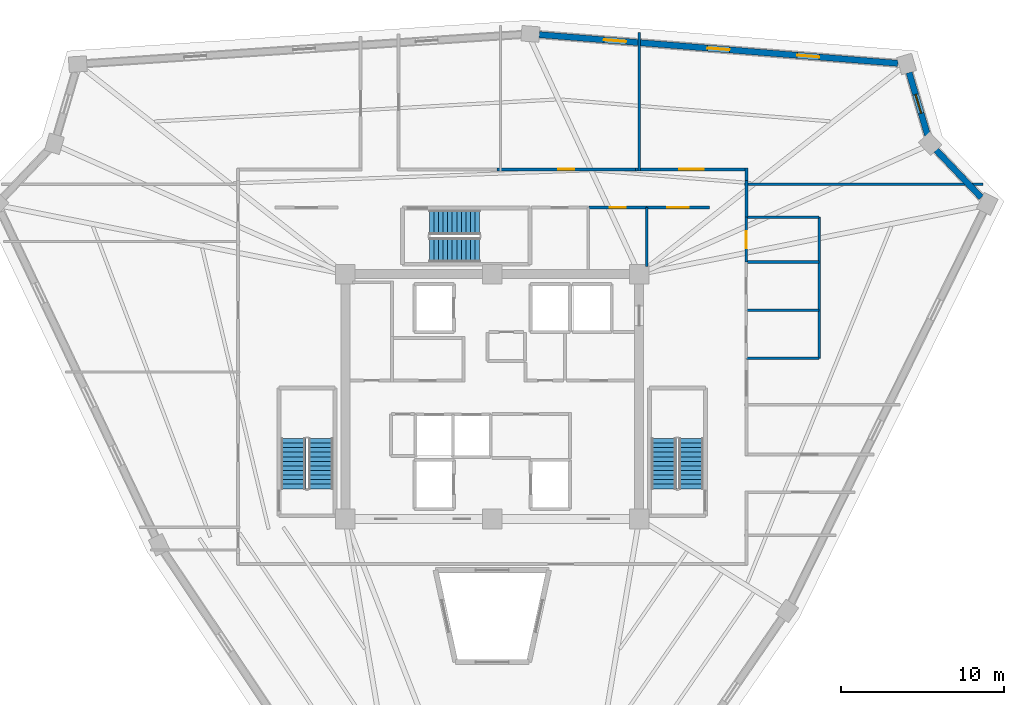
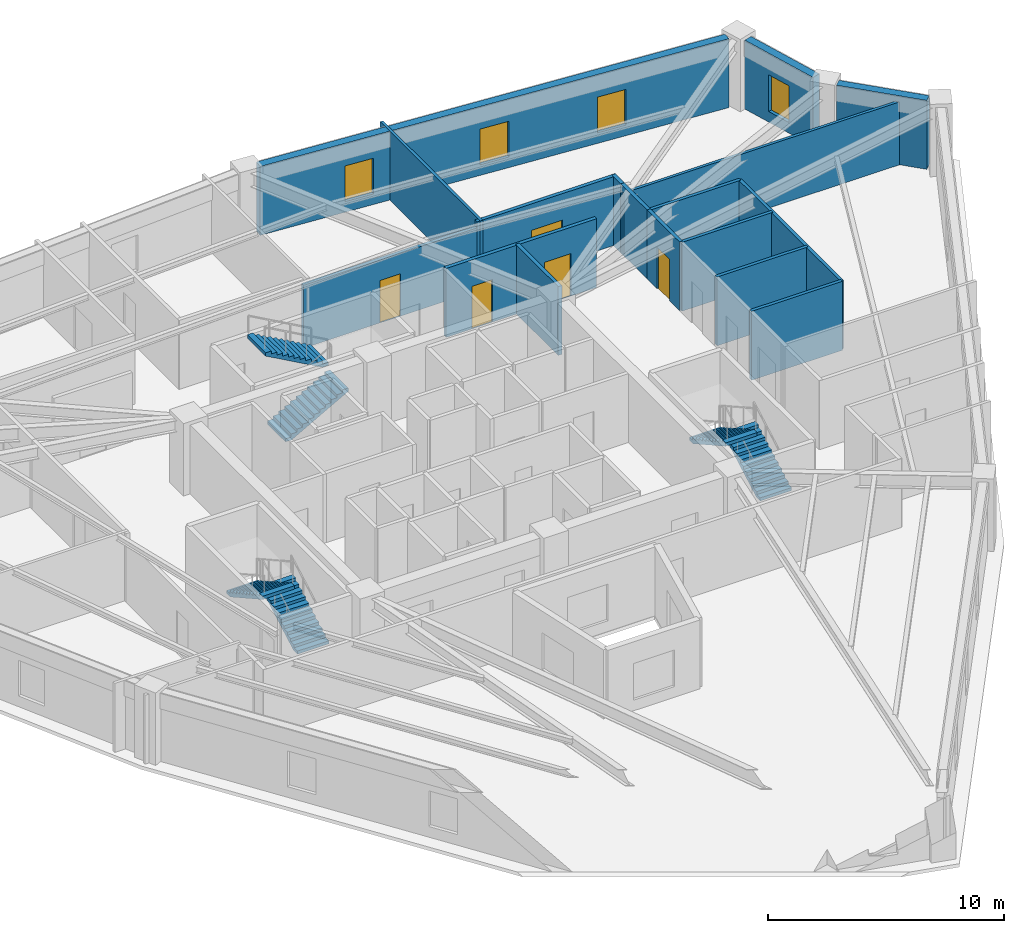
# One storey, part 7 of 8: 18 walls, 6 stair flights, 5 doors, 4 windows, 9 openings, 3 elements without a shape of their own.
"""IFC4 building model written with IfcOpenShell, lengths in metres."""

from ifc_helpers import new_model, si_unit, direction, frame, frame_2d, origin, place, context, subcontext, project, spatial, polyline, rectangle, outline, extrude, source, transform, mapped, material, layer, layer_set, type_object, element, fill, aggregate, save


model = new_model("IFC4")

# Units and contexts
model_context = context("Model", 3, precision=1e-05, world=origin(), true_north=direction((0.0, 1.0)))
body_context = subcontext(model_context, "Body", "Model", "MODEL_VIEW")
ifc_project = project(units=[si_unit("LENGTHUNIT", "METRE"), si_unit("AREAUNIT", "SQUARE_METRE"), si_unit("VOLUMEUNIT", "CUBIC_METRE"), si_unit("PLANEANGLEUNIT", "RADIAN"), si_unit("MASSUNIT", "GRAM", prefix="KILO")], contexts=[model_context])

# Site, building, storey
site_placement = place(None, origin())
site = spatial("IfcSite", under=ifc_project, at=site_placement, CompositionType="ELEMENT")
building_placement = place(site_placement, origin())
building = spatial("IfcBuilding", under=site, at=building_placement, Name="Liaohun Quay Tower", CompositionType="ELEMENT")
storey_placement = place(building_placement, frame((0.0, 0.0, 305.25)))
storey = spatial("IfcBuildingStorey", under=building, at=storey_placement, Name="L79", CompositionType="ELEMENT", Elevation=305.25)

# Wall
ifc_material_1 = material(Name="Precast concrete C50 insulated sandwich", Category="concrete")
ifc_layer_1 = layer(ifc_material_1, 0.3798828125, Name="Precast concrete C50 insulated sandwich", Category="concrete")
ifc_layer_set_1 = layer_set([ifc_layer_1], Name="Precast concrete C50 insulated sandwich")
wall_type_1 = type_object("IfcWallType", Name="WAL-EXT-Z34", PredefinedType="SOLIDWALL", material=ifc_layer_set_1)
wall_1_placement = place(storey_placement, frame((89.94189453125, 66.18994140625, 0.0), z_axis=(0.0, 0.0, 1.0), x_axis=(-0.689222359841, 0.724549886961, 0.0)))
element("IfcWall", 1, at=wall_1_placement, inside=storey, type_object=wall_type_1, Name="L79 Brutalist Precast Pier Wall 04", PredefinedType="SOLIDWALL", context=body_context, shape_type="SweptSolid", body=[
    extrude(rectangle(XDim=4.001220703125, YDim=0.3798828125, at=frame_2d((2.00048828125, 0.0))), origin(), (0.0, 0.0, 1.0), 3.570068359375),
])

# Wall, opening, window
wall_2_placement = place(storey_placement, frame((86.658935546875, 69.998046875, 0.0), z_axis=(0.0, 0.0, 1.0), x_axis=(-0.2823872674, 0.959300490571, 0.0)))
wall_2 = element("IfcWall", 2, at=wall_2_placement, inside=storey, type_object=wall_type_1, Name="L79 Brutalist Precast Pier Wall 05", PredefinedType="SOLIDWALL", context=body_context, shape_type="SweptSolid", body=[
    extrude(rectangle(XDim=4.008056640625, YDim=0.3798828125, at=frame_2d((2.00390625, 0.0))), origin(), (0.0, 0.0, 1.0), 3.570068359375),
])
shared_shape_1 = source(origin(), body_context, "Body", "SweptSolid", [
    extrude(rectangle(XDim=1.199951171875, YDim=1.89990234375, at=frame_2d((0.60009765625, 0.949951171875))), frame((0.0, 0.199951171875, 0.0), z_axis=(0.0, -1.0, 0.0), x_axis=(1.0, 0.0, 0.0)), (0.0, 0.0, 1.0), 0.39990234375),
])
opening_1_placement = place(wall_2_placement, frame((1.404052734375, 0.0, 0.550048828125)))
opening_1 = element("IfcOpeningElement", 3, at=opening_1_placement, cuts=wall_2, Name="Opening W05", PredefinedType="OPENING", context=body_context, shape_type="MappedRepresentation", body=[
    mapped(shared_shape_1, transform((0.0, 0.0, 0.0), x_axis=(1.0, 0.0, 0.0), y_axis=(0.0, 1.0, 0.0), z_axis=(0.0, 0.0, 1.0), scale=1.0)),
])
ifc_material_2 = material(Name="Triple Low-E corner notch glazing", Category="glass")
window_type_1 = type_object("IfcWindowType", Name="WIN-NOTCH", PartitioningType="SINGLE_PANEL", PredefinedType="WINDOW", material=ifc_material_2)
shared_shape_2 = source(origin(), body_context, "Body", "SweptSolid", [
    extrude(rectangle(XDim=1.199951171875, YDim=1.89990234375, at=frame_2d((0.60009765625, 0.949951171875))), frame((0.0, 0.030029296875, 0.0), z_axis=(0.0, -1.0, 0.0), x_axis=(1.0, 0.0, 0.0)), (0.0, 0.0, 1.0), 0.06005859375),
])
window_1_placement = place(opening_1_placement, origin())
window_1 = element("IfcWindow", 4, at=window_1_placement, inside=storey, type_object=window_type_1, Name="L79 Corner Notch Window W05-05", OverallHeight=1.89990234375, OverallWidth=1.199951171875, PartitioningType="SINGLE_PANEL", PredefinedType="WINDOW", context=body_context, shape_type="MappedRepresentation", body=[
    mapped(shared_shape_2, transform((0.0, 0.0, 0.0), x_axis=(1.0, 0.0, 0.0), y_axis=(0.0, 1.0, 0.0), z_axis=(0.0, 0.0, 1.0), scale=1.0)),
])
fill(opening_1, window_1)

# Wall, openings, windows
wall_3_placement = place(storey_placement, frame((84.8359375, 74.404052734375, 0.0), z_axis=(0.0, 0.0, 1.0), x_axis=(-0.996807769303, 0.079839032169, 0.0)))
wall_3 = element("IfcWall", 5, at=wall_3_placement, inside=storey, type_object=wall_type_1, Name="L79 Brutalist Precast Pier Wall 06", PredefinedType="SOLIDWALL", context=body_context, shape_type="SweptSolid", body=[
    extrude(rectangle(XDim=22.0322265625, YDim=0.3798828125, at=frame_2d((11.01611328125, 0.0))), origin(), (0.0, 0.0, 1.0), 3.570068359375),
])
shared_shape_3 = source(origin(), body_context, "Body", "SweptSolid", [
    extrude(rectangle(XDim=1.35009765625, YDim=1.85009765625, at=frame_2d((0.675048828125, 0.925048828125))), frame((0.0, 0.199951171875, 0.0), z_axis=(0.0, -1.0, 0.0), x_axis=(1.0, 0.0, 0.0)), (0.0, 0.0, 1.0), 0.39990234375),
])
opening_2_placement = place(wall_3_placement, frame((4.8330078125, 0.0, 0.550048828125)))
opening_2 = element("IfcOpeningElement", 6, at=opening_2_placement, cuts=wall_3, Name="Opening W04", PredefinedType="OPENING", context=body_context, shape_type="MappedRepresentation", body=[
    mapped(shared_shape_3, transform((0.0, 0.0, 0.0), x_axis=(1.0, 0.0, 0.0), y_axis=(0.0, 1.0, 0.0), z_axis=(0.0, 0.0, 1.0), scale=1.0)),
])
opening_3_placement = place(wall_3_placement, frame((10.341064453125, 0.0, 0.550048828125)))
opening_3 = element("IfcOpeningElement", 7, at=opening_3_placement, cuts=wall_3, Name="Opening W04", PredefinedType="OPENING", context=body_context, shape_type="MappedRepresentation", body=[
    mapped(shared_shape_3, transform((0.0, 0.0, 0.0), x_axis=(1.0, 0.0, 0.0), y_axis=(0.0, 1.0, 0.0), z_axis=(0.0, 0.0, 1.0), scale=1.0)),
])
opening_4_placement = place(wall_3_placement, frame((16.698974609375, 0.0, 0.550048828125)))
opening_4 = element("IfcOpeningElement", 8, at=opening_4_placement, cuts=wall_3, Name="Opening W04", PredefinedType="OPENING", context=body_context, shape_type="MappedRepresentation", body=[
    mapped(shared_shape_3, transform((0.0, 0.0, 0.0), x_axis=(1.0, 0.0, 0.0), y_axis=(0.0, 1.0, 0.0), z_axis=(0.0, 0.0, 1.0), scale=1.0)),
])
ifc_material_3 = material(Name="Triple Low-E argon glazing in thermally broken aluminium", Category="aluminium")
window_type_2 = type_object("IfcWindowType", Name="WIN-PUN-Z4", PartitioningType="SINGLE_PANEL", PredefinedType="WINDOW", material=ifc_material_3)
shared_shape_4 = source(origin(), body_context, "Body", "SweptSolid", [
    extrude(rectangle(XDim=1.35009765625, YDim=1.85009765625, at=frame_2d((0.675048828125, 0.925048828125))), frame((0.0, 0.030029296875, 0.0), z_axis=(0.0, -1.0, 0.0), x_axis=(1.0, 0.0, 0.0)), (0.0, 0.0, 1.0), 0.06005859375),
])
window_2_placement = place(opening_2_placement, origin())
window_2 = element("IfcWindow", 9, at=window_2_placement, inside=storey, type_object=window_type_2, Name="L79 Recessed Cold-Climate Punched Window 06-1", OverallHeight=1.85009765625, OverallWidth=1.35009765625, PartitioningType="SINGLE_PANEL", PredefinedType="WINDOW", context=body_context, shape_type="MappedRepresentation", body=[
    mapped(shared_shape_4, transform((0.0, 0.0, 0.0), x_axis=(1.0, 0.0, 0.0), y_axis=(0.0, 1.0, 0.0), z_axis=(0.0, 0.0, 1.0), scale=1.0)),
])
fill(opening_2, window_2)
window_3_placement = place(opening_3_placement, origin())
window_3 = element("IfcWindow", 10, at=window_3_placement, inside=storey, type_object=window_type_2, Name="L79 Recessed Cold-Climate Punched Window 06-2", OverallHeight=1.85009765625, OverallWidth=1.35009765625, PartitioningType="SINGLE_PANEL", PredefinedType="WINDOW", context=body_context, shape_type="MappedRepresentation", body=[
    mapped(shared_shape_4, transform((0.0, 0.0, 0.0), x_axis=(1.0, 0.0, 0.0), y_axis=(0.0, 1.0, 0.0), z_axis=(0.0, 0.0, 1.0), scale=1.0)),
])
fill(opening_3, window_3)
window_4_placement = place(opening_4_placement, origin())
window_4 = element("IfcWindow", 11, at=window_4_placement, inside=storey, type_object=window_type_2, Name="L79 Recessed Cold-Climate Punched Window 06-3", OverallHeight=1.85009765625, OverallWidth=1.35009765625, PartitioningType="SINGLE_PANEL", PredefinedType="WINDOW", context=body_context, shape_type="MappedRepresentation", body=[
    mapped(shared_shape_4, transform((0.0, 0.0, 0.0), x_axis=(1.0, 0.0, 0.0), y_axis=(0.0, 1.0, 0.0), z_axis=(0.0, 0.0, 1.0), scale=1.0)),
])
fill(opening_4, window_4)

# Wall, opening, door
ifc_material_4 = material(Name="Autoclaved aerated concrete blockwork", Category="masonry")
ifc_layer_2 = layer(ifc_material_4, 0.179931640625, Name="Autoclaved aerated concrete blockwork", Category="masonry")
ifc_layer_set_2 = layer_set([ifc_layer_2], Name="Autoclaved aerated concrete blockwork")
wall_type_2 = type_object("IfcWallType", Name="WAL-PRT-COR", PredefinedType="PARTITIONING", material=ifc_layer_set_2)
wall_4_placement = place(storey_placement, frame((65.919921875, 65.580078125, 0.0), z_axis=(0.0, 0.0, 1.0), x_axis=(1.0, 0.0, 0.0)))
wall_4 = element("IfcWall", 12, at=wall_4_placement, inside=storey, type_object=wall_type_2, Name="L79 Interior Partition Wall 012", PredefinedType="PARTITIONING", context=body_context, shape_type="SweptSolid", body=[
    extrude(rectangle(XDim=3.5400390625, YDim=0.179931640625, at=frame_2d((1.77001953125, 0.0))), origin(), (0.0, 0.0, 1.0), 3.570068359375),
])
shared_shape_5 = source(origin(), body_context, "Body", "SweptSolid", [
    extrude(rectangle(XDim=1.0, YDim=2.199951171875, at=frame_2d((0.5, 1.10009765625))), frame((0.0, 0.099853515625, 0.0), z_axis=(0.0, -1.0, 0.0), x_axis=(1.0, 0.0, 0.0)), (0.0, 0.0, 1.0), 0.199951171875),
])
opening_5_placement = place(wall_4_placement, frame((1.27001953125, 0.0, 0.0)))
opening_5 = element("IfcOpeningElement", 13, at=opening_5_placement, cuts=wall_4, Name="Opening OD1", PredefinedType="OPENING", context=body_context, shape_type="MappedRepresentation", body=[
    mapped(shared_shape_5, transform((0.0, 0.0, 0.0), x_axis=(1.0, 0.0, 0.0), y_axis=(0.0, 1.0, 0.0), z_axis=(0.0, 0.0, 1.0), scale=1.0)),
])
ifc_material_5 = material(Name="Solid-core oak veneer timber leaf in steel frame", Category="steel")
door_type_1 = type_object("IfcDoorType", Name="DOR-OFF-1000", OperationType="NOTDEFINED", PredefinedType="DOOR", material=ifc_material_5)
shared_shape_6 = source(origin(), body_context, "Body", "SweptSolid", [
    extrude(rectangle(XDim=1.0, YDim=2.199951171875, at=frame_2d((0.5, 1.10009765625))), frame((0.0, 0.02490234375, 0.0), z_axis=(0.0, -1.0, 0.0), x_axis=(1.0, 0.0, 0.0)), (0.0, 0.0, 1.0), 0.050048828125),
])
door_1_placement = place(opening_5_placement, origin())
door_1 = element("IfcDoor", 14, at=door_1_placement, inside=storey, type_object=door_type_1, Name="L79 North-East Pantry Room Door", OperationType="SINGLE_SWING_RIGHT", OverallHeight=2.199951171875, OverallWidth=1.0, PredefinedType="DOOR", context=body_context, shape_type="MappedRepresentation", body=[
    mapped(shared_shape_6, transform((0.0, 0.0, 0.0), x_axis=(1.0, 0.0, 0.0), y_axis=(0.0, 1.0, 0.0), z_axis=(0.0, 0.0, 1.0), scale=1.0)),
])
fill(opening_5, door_1)

wall_5_placement = place(storey_placement, frame((69.4599609375, 65.580078125, 0.0), z_axis=(0.0, 0.0, 1.0), x_axis=(1.0, 0.0, 0.0)))
wall_5 = element("IfcWall", 15, at=wall_5_placement, inside=storey, type_object=wall_type_2, Name="L79 Interior Partition Wall 014", PredefinedType="PARTITIONING", context=body_context, shape_type="SweptSolid", body=[
    extrude(rectangle(XDim=3.840087890625, YDim=0.179931640625, at=frame_2d((1.919921875, 0.0))), origin(), (0.0, 0.0, 1.0), 3.570068359375),
])
shared_shape_7 = source(origin(), body_context, "Body", "SweptSolid", [
    extrude(rectangle(XDim=1.300048828125, YDim=2.199951171875, at=frame_2d((0.64990234375, 1.10009765625))), frame((0.0, 0.099853515625, 0.0), z_axis=(0.0, -1.0, 0.0), x_axis=(1.0, 0.0, 0.0)), (0.0, 0.0, 1.0), 0.199951171875),
])
opening_6_placement = place(wall_5_placement, frame((1.27001953125, 0.0, 0.0)))
opening_6 = element("IfcOpeningElement", 16, at=opening_6_placement, cuts=wall_5, Name="Opening FD1", PredefinedType="OPENING", context=body_context, shape_type="MappedRepresentation", body=[
    mapped(shared_shape_7, transform((0.0, 0.0, 0.0), x_axis=(1.0, 0.0, 0.0), y_axis=(0.0, 1.0, 0.0), z_axis=(0.0, 0.0, 1.0), scale=1.0)),
])
ifc_material_6 = material(Name="Galvanised steel smokeproof fire door", Category="steel")
door_type_2 = type_object("IfcDoorType", Name="DOR-FFL-1300", OperationType="NOTDEFINED", PredefinedType="DOOR", material=ifc_material_6)
shared_shape_8 = source(origin(), body_context, "Body", "SweptSolid", [
    extrude(rectangle(XDim=1.300048828125, YDim=2.199951171875, at=frame_2d((0.64990234375, 1.10009765625))), frame((0.0, 0.02490234375, 0.0), z_axis=(0.0, -1.0, 0.0), x_axis=(1.0, 0.0, 0.0)), (0.0, 0.0, 1.0), 0.050048828125),
])
door_2_placement = place(opening_6_placement, origin())
door_2 = element("IfcDoor", 17, at=door_2_placement, inside=storey, type_object=door_type_2, Name="L79 East Core Vestibule Door", OperationType="SINGLE_SWING_RIGHT", OverallHeight=2.199951171875, OverallWidth=1.300048828125, PredefinedType="DOOR", context=body_context, shape_type="MappedRepresentation", body=[
    mapped(shared_shape_8, transform((0.0, 0.0, 0.0), x_axis=(1.0, 0.0, 0.0), y_axis=(0.0, 1.0, 0.0), z_axis=(0.0, 0.0, 1.0), scale=1.0)),
])
fill(opening_6, door_2)

wall_6_placement = place(storey_placement, frame((68.784912109375, 67.909912109375, 0.0), z_axis=(0.0, 0.0, 1.0), x_axis=(1.0, 0.0, 0.0)))
wall_6 = element("IfcWall", 18, at=wall_6_placement, inside=storey, type_object=wall_type_2, Name="L79 Interior Partition Wall 016", PredefinedType="PARTITIONING", context=body_context, shape_type="SweptSolid", body=[
    extrude(rectangle(XDim=6.844970703125, YDim=0.179931640625, at=frame_2d((3.42236328125, 0.0))), origin(), (0.0, 0.0, 1.0), 3.570068359375),
])
shared_shape_9 = source(origin(), body_context, "Body", "SweptSolid", [
    extrude(rectangle(XDim=1.5, YDim=2.199951171875, at=frame_2d((0.75, 1.10009765625))), frame((0.0, 0.099853515625, 0.0), z_axis=(0.0, -1.0, 0.0), x_axis=(1.0, 0.0, 0.0)), (0.0, 0.0, 1.0), 0.199951171875),
])
opening_7_placement = place(wall_6_placement, frame((2.672119140625, 0.0, 0.0)))
opening_7 = element("IfcOpeningElement", 19, at=opening_7_placement, cuts=wall_6, Name="Opening OD2", PredefinedType="OPENING", context=body_context, shape_type="MappedRepresentation", body=[
    mapped(shared_shape_9, transform((0.0, 0.0, 0.0), x_axis=(1.0, 0.0, 0.0), y_axis=(0.0, 1.0, 0.0), z_axis=(0.0, 0.0, 1.0), scale=1.0)),
])
ifc_material_7 = material(Name="Acoustic oak veneer double door")
door_type_3 = type_object("IfcDoorType", Name="DOR-OFF-1500", OperationType="DOUBLE_DOOR_SINGLE_SWING", PredefinedType="DOOR", material=ifc_material_7)
shared_shape_10 = source(origin(), body_context, "Body", "SweptSolid", [
    extrude(rectangle(XDim=1.5, YDim=2.199951171875, at=frame_2d((0.75, 1.10009765625))), frame((0.0, 0.02490234375, 0.0), z_axis=(0.0, -1.0, 0.0), x_axis=(1.0, 0.0, 0.0)), (0.0, 0.0, 1.0), 0.050048828125),
])
door_3_placement = place(opening_7_placement, origin())
door_3 = element("IfcDoor", 20, at=door_3_placement, inside=storey, type_object=door_type_3, Name="L79 Client Collaboration Lounge 02 Door", OperationType="DOUBLE_DOOR_SINGLE_SWING", OverallHeight=2.199951171875, OverallWidth=1.5, PredefinedType="DOOR", context=body_context, shape_type="MappedRepresentation", body=[
    mapped(shared_shape_10, transform((0.0, 0.0, 0.0), x_axis=(1.0, 0.0, 0.0), y_axis=(0.0, 1.0, 0.0), z_axis=(0.0, 0.0, 1.0), scale=1.0)),
])
fill(opening_7, door_3)

wall_7_placement = place(storey_placement, frame((60.284912109375, 67.909912109375, 0.0), z_axis=(0.0, 0.0, 1.0), x_axis=(1.0, 0.0, 0.0)))
wall_7 = element("IfcWall", 21, at=wall_7_placement, inside=storey, type_object=wall_type_2, Name="L79 Interior Partition Wall 017", PredefinedType="PARTITIONING", context=body_context, shape_type="SweptSolid", body=[
    extrude(rectangle(XDim=8.5, YDim=0.179931640625, at=frame_2d((4.25, 0.0))), origin(), (0.0, 0.0, 1.0), 3.260986328125),
])
opening_8_placement = place(wall_7_placement, frame((3.75, 0.0, 0.0)))
opening_8 = element("IfcOpeningElement", 22, at=opening_8_placement, cuts=wall_7, Name="Opening OD1", PredefinedType="OPENING", context=body_context, shape_type="MappedRepresentation", body=[
    mapped(shared_shape_5, transform((0.0, 0.0, 0.0), x_axis=(1.0, 0.0, 0.0), y_axis=(0.0, 1.0, 0.0), z_axis=(0.0, 0.0, 1.0), scale=1.0)),
])
door_4_placement = place(opening_8_placement, origin())
door_4 = element("IfcDoor", 23, at=door_4_placement, inside=storey, type_object=door_type_1, Name="L79 Engineering Model Workshop 03 Door", OperationType="SINGLE_SWING_LEFT", OverallHeight=2.199951171875, OverallWidth=1.0, PredefinedType="DOOR", context=body_context, shape_type="MappedRepresentation", body=[
    mapped(shared_shape_6, transform((0.0, 0.0, 0.0), x_axis=(1.0, 0.0, 0.0), y_axis=(0.0, 1.0, 0.0), z_axis=(0.0, 0.0, 1.0), scale=1.0)),
])
fill(opening_8, door_4)

# Walls
wall_8_placement = place(storey_placement, frame((69.4599609375, 61.949951171875, 0.0), z_axis=(0.0, 0.0, 1.0), x_axis=(0.0, 1.0, 0.0)))
element("IfcWall", 24, at=wall_8_placement, inside=storey, type_object=wall_type_2, Name="L79 Interior Partition Wall 039", PredefinedType="PARTITIONING", context=body_context, shape_type="SweptSolid", body=[
    extrude(rectangle(XDim=3.630126953125, YDim=0.179931640625, at=frame_2d((1.81494140625, 0.0))), origin(), (0.0, 0.0, 1.0), 3.570068359375),
])
wall_9_placement = place(storey_placement, frame((75.56005859375, 67.215087890625, 0.0), z_axis=(0.0, 0.0, 1.0), x_axis=(0.0, -1.0, 0.0)))
element("IfcWall", 25, at=wall_9_placement, inside=storey, type_object=wall_type_2, Name="L79 Interior Partition Wall 040", PredefinedType="PARTITIONING", context=body_context, shape_type="SweptSolid", body=[
    extrude(rectangle(XDim=2.235107421875, YDim=0.179931640625, at=frame_2d((1.11767578125, 0.0))), origin(), (0.0, 0.0, 1.0), 3.570068359375),
])
wall_10_placement = place(storey_placement, frame((75.56005859375, 67.97998046875, 0.0), z_axis=(0.0, 0.0, 1.0), x_axis=(0.0, -1.0, 0.0)))
element("IfcWall", 26, at=wall_10_placement, inside=storey, type_object=wall_type_2, Name="L79 Interior Partition Wall 041", PredefinedType="PARTITIONING", context=body_context, shape_type="SweptSolid", body=[
    extrude(rectangle(XDim=0.764892578125, YDim=0.179931640625, at=frame_2d((0.38232421875, 0.0))), origin(), (0.0, 0.0, 1.0), 3.570068359375),
])
ifc_material_8 = material(Name="Gypsum board on twin steel studs", Category="steel")
ifc_layer_3 = layer(ifc_material_8, 0.139892578125, Name="Gypsum board on twin steel studs", Category="steel")
ifc_layer_set_3 = layer_set([ifc_layer_3], Name="Gypsum board on twin steel studs")
wall_type_3 = type_object("IfcWallType", Name="WAL-PRT-OFF", PredefinedType="PARTITIONING", material=ifc_layer_set_3)
wall_11_placement = place(storey_placement, frame((75.4599609375, 67.0, 0.0), z_axis=(0.0, 0.0, 1.0), x_axis=(1.0, 0.0, 0.0)))
element("IfcWall", 27, at=wall_11_placement, inside=storey, type_object=wall_type_3, Name="L79 Interior Partition Wall 056", PredefinedType="PARTITIONING", context=body_context, shape_type="SweptSolid", body=[
    extrude(rectangle(XDim=14.5810546875, YDim=0.139892578125, at=frame_2d((7.29052734375, 0.0))), origin(), (0.0, 0.0, 1.0), 3.260986328125),
])
wall_12_placement = place(storey_placement, frame((69.0, 67.81005859375, 0.0), z_axis=(0.0, 0.0, 1.0), x_axis=(0.0, 1.0, 0.0)))
element("IfcWall", 28, at=wall_12_placement, inside=storey, type_object=wall_type_3, Name="L79 Interior Partition Wall 058", PredefinedType="PARTITIONING", context=body_context, shape_type="SweptSolid", body=[
    extrude(rectangle(XDim=8.493896484375, YDim=0.139892578125, at=frame_2d((4.2470703125, 0.0))), origin(), (0.0, 0.0, 1.0), 3.570068359375),
])

# Wall, opening, door
ifc_material_9 = material(Name="Moisture-resistant masonry blockwork", Category="masonry")
ifc_layer_4 = layer(ifc_material_9, 0.159912109375, Name="Moisture-resistant masonry blockwork", Category="masonry")
ifc_layer_set_4 = layer_set([ifc_layer_4], Name="Moisture-resistant masonry blockwork")
wall_type_4 = type_object("IfcWallType", Name="WAL-PRT-WET", PredefinedType="PARTITIONING", material=ifc_layer_set_4)
wall_13_placement = place(storey_placement, frame((75.56005859375, 62.239990234375, 0.0), z_axis=(0.0, 0.0, 1.0), x_axis=(0.0, 1.0, 0.0)))
wall_13 = element("IfcWall", 29, at=wall_13_placement, inside=storey, type_object=wall_type_4, Name="L79 Interior Partition Wall 010", PredefinedType="PARTITIONING", context=body_context, shape_type="SweptSolid", body=[
    extrude(rectangle(XDim=2.739990234375, YDim=0.159912109375, at=frame_2d((1.3701171875, 0.0))), origin(), (0.0, 0.0, 1.0), 3.570068359375),
])
shared_shape_11 = source(origin(), body_context, "Body", "SweptSolid", [
    extrude(rectangle(XDim=1.050048828125, YDim=2.14990234375, at=frame_2d((0.52490234375, 1.074951171875))), frame((0.0, 0.08984375, 0.0), z_axis=(0.0, -1.0, 0.0), x_axis=(1.0, 0.0, 0.0)), (0.0, 0.0, 1.0), 0.179931640625),
])
opening_9_placement = place(wall_13_placement, frame((0.844970703125, 0.0, 0.0)))
opening_9 = element("IfcOpeningElement", 30, at=opening_9_placement, cuts=wall_13, Name="Opening WD2", PredefinedType="OPENING", context=body_context, shape_type="MappedRepresentation", body=[
    mapped(shared_shape_11, transform((0.0, 0.0, 0.0), x_axis=(1.0, 0.0, 0.0), y_axis=(0.0, 1.0, 0.0), z_axis=(0.0, 0.0, 1.0), scale=1.0)),
])
ifc_material_10 = material(Name="Accessible outward-swinging laminate door")
door_type_4 = type_object("IfcDoorType", Name="DOR-AWC-1050", OperationType="NOTDEFINED", PredefinedType="DOOR", material=ifc_material_10)
shared_shape_12 = source(origin(), body_context, "Body", "SweptSolid", [
    extrude(rectangle(XDim=1.050048828125, YDim=2.14990234375, at=frame_2d((0.52490234375, 1.074951171875))), frame((0.0, 0.02490234375, 0.0), z_axis=(0.0, -1.0, 0.0), x_axis=(1.0, 0.0, 0.0)), (0.0, 0.0, 1.0), 0.050048828125),
])
door_5_placement = place(opening_9_placement, origin())
door_5 = element("IfcDoor", 31, at=door_5_placement, inside=storey, type_object=door_type_4, Name="L79 Accessible WC Door", OperationType="SINGLE_SWING_RIGHT", OverallHeight=2.14990234375, OverallWidth=1.050048828125, PredefinedType="DOOR", context=body_context, shape_type="MappedRepresentation", body=[
    mapped(shared_shape_12, transform((0.0, 0.0, 0.0), x_axis=(1.0, 0.0, 0.0), y_axis=(0.0, 1.0, 0.0), z_axis=(0.0, 0.0, 1.0), scale=1.0)),
])
fill(opening_9, door_5)

# Walls
wall_14_placement = place(storey_placement, frame((80.02001953125, 56.340087890625, 0.0), z_axis=(0.0, 0.0, 1.0), x_axis=(0.0, 1.0, 0.0)))
element("IfcWall", 32, at=wall_14_placement, inside=storey, type_object=wall_type_4, Name="L79 Interior Partition Wall 033", PredefinedType="PARTITIONING", context=body_context, shape_type="SweptSolid", body=[
    extrude(rectangle(XDim=8.639892578125, YDim=0.159912109375, at=frame_2d((4.31982421875, 0.0))), origin(), (0.0, 0.0, 1.0), 3.570068359375),
])
for number, where, z_axis, x_axis, name in (
    (33, (75.56005859375, 56.340087890625, 0.0), (0.0, 0.0, 1.0), (1.0, 0.0, 0.0), "L79 Interior Partition Wall 034"),
    (34, (75.56005859375, 59.280029296875, 0.0), (0.0, 0.0, 1.0), (1.0, 0.0, 0.0), "L79 Interior Partition Wall 035"),
    (35, (75.56005859375, 62.239990234375, 0.0), (0.0, 0.0, 1.0), (1.0, 0.0, 0.0), "L79 Interior Partition Wall 036"),
    (36, (75.56005859375, 64.97998046875, 0.0), (0.0, 0.0, 1.0), (1.0, 0.0, 0.0), "L79 Interior Partition Wall 037"),
):
    element("IfcWall", number, at=place(storey_placement, frame(where, z_axis=z_axis, x_axis=x_axis)), inside=storey, type_object=wall_type_4, Name=name, PredefinedType="PARTITIONING", context=body_context, shape_type="SweptSolid", body=[
        extrude(rectangle(XDim=4.4599609375, YDim=0.159912109375, at=frame_2d((2.22998046875, 0.0))), origin(), (0.0, 0.0, 1.0), 3.570068359375),
    ])

# Stair, stair flights
ifc_material_11 = material(Name="Concrete C45", Category="concrete")
stair_type = type_object("IfcStairType", Name="STR-CORE-OFF", PredefinedType="HALF_TURN_STAIR", material=ifc_material_11)
stair_1_placement = place(storey_placement, origin())
stair_1 = element("IfcStair", 37, at=stair_1_placement, inside=storey, type_object=stair_type, Name="L79 Smokeproof Core Exit Stair ST-1", PredefinedType="HALF_TURN_STAIR")
stair_flight_type = type_object("IfcStairFlightType", Name="FLT-CORE-155", PredefinedType="STRAIGHT", material=ifc_material_11)
stair_flight_1_placement = place(storey_placement, frame((49.5048828125, 48.35009765625, 0.0), z_axis=(0.0, 0.0, 1.0), x_axis=(0.0, 1.0, 0.0)))
stair_flight_1 = element("IfcStairFlight", 38, at=stair_flight_1_placement, type_object=stair_flight_type, Name="ST-1 flight 1", NumberOfRisers=12, NumberOfTreads=11, PredefinedType="STRAIGHT", RiserHeight=0.15625, TreadLength=0.28, context=body_context, shape_type="SweptSolid", body=[
    extrude(outline(polyline([(0.0, 0.0), (0.0, 0.15625), (0.280029296875, 0.15625), (0.280029296875, 0.3125), (0.56005859375, 0.3125), (0.56005859375, 0.46875), (0.840087890625, 0.46875), (0.840087890625, 0.625), (1.1201171875, 0.625), (1.1201171875, 0.78125), (1.39990234375, 0.78125), (1.39990234375, 0.9375), (1.679931640625, 0.9375), (1.679931640625, 1.09375), (1.9599609375, 1.09375), (1.9599609375, 1.25), (2.239990234375, 1.25), (2.239990234375, 1.40625), (2.52001953125, 1.40625), (2.52001953125, 1.5625), (2.800048828125, 1.5625), (2.800048828125, 1.71875), (3.080078125, 1.71875), (3.080078125, 1.875), (3.080078125, 1.547119140625), (0.3076171875, 0.0), (0.0, 0.0)])), frame((0.0, 0.77490234375, 0.0), z_axis=(0.0, -1.0, 0.0), x_axis=(1.0, 0.0, 0.0)), (0.0, 0.0, 1.0), 1.550048828125),
])
stair_flight_2_placement = place(storey_placement, frame((47.81494140625, 51.429931640625, 1.875), z_axis=(0.0, 0.0, 1.0), x_axis=(0.0, -1.0, 0.0)))
stair_flight_2 = element("IfcStairFlight", 39, at=stair_flight_2_placement, type_object=stair_flight_type, Name="ST-1 flight 2", NumberOfRisers=12, NumberOfTreads=11, PredefinedType="STRAIGHT", RiserHeight=0.15625, TreadLength=0.28, context=body_context, shape_type="SweptSolid", body=[
    extrude(outline(polyline([(0.0, 0.0), (0.0, 0.15625), (0.280029296875, 0.15625), (0.280029296875, 0.3125), (0.56005859375, 0.3125), (0.56005859375, 0.46875), (0.840087890625, 0.46875), (0.840087890625, 0.625), (1.1201171875, 0.625), (1.1201171875, 0.78125), (1.39990234375, 0.78125), (1.39990234375, 0.9375), (1.679931640625, 0.9375), (1.679931640625, 1.09375), (1.9599609375, 1.09375), (1.9599609375, 1.25), (2.239990234375, 1.25), (2.239990234375, 1.40625), (2.52001953125, 1.40625), (2.52001953125, 1.5625), (2.800048828125, 1.5625), (2.800048828125, 1.71875), (3.080078125, 1.71875), (3.080078125, 1.875), (3.080078125, 1.547119140625), (0.3076171875, 0.0), (0.0, 0.0)])), frame((0.0, 0.77490234375, 0.0), z_axis=(0.0, -1.0, 0.0), x_axis=(1.0, 0.0, 0.0)), (0.0, 0.0, 1.0), 1.550048828125),
])
aggregate(stair_1, [stair_flight_1, stair_flight_2])

stair_2_placement = place(storey_placement, origin())
stair_2 = element("IfcStair", 40, at=stair_2_placement, inside=storey, type_object=stair_type, Name="L79 Smokeproof Core Exit Stair ST-2", PredefinedType="HALF_TURN_STAIR")
stair_flight_3_placement = place(storey_placement, frame((72.18505859375, 48.35009765625, 0.0), z_axis=(0.0, 0.0, 1.0), x_axis=(0.0, 1.0, 0.0)))
stair_flight_3 = element("IfcStairFlight", 41, at=stair_flight_3_placement, type_object=stair_flight_type, Name="ST-2 flight 1", NumberOfRisers=12, NumberOfTreads=11, PredefinedType="STRAIGHT", RiserHeight=0.15625, TreadLength=0.28, context=body_context, shape_type="SweptSolid", body=[
    extrude(outline(polyline([(0.0, 0.0), (0.0, 0.15625), (0.280029296875, 0.15625), (0.280029296875, 0.3125), (0.56005859375, 0.3125), (0.56005859375, 0.46875), (0.840087890625, 0.46875), (0.840087890625, 0.625), (1.1201171875, 0.625), (1.1201171875, 0.78125), (1.39990234375, 0.78125), (1.39990234375, 0.9375), (1.679931640625, 0.9375), (1.679931640625, 1.09375), (1.9599609375, 1.09375), (1.9599609375, 1.25), (2.239990234375, 1.25), (2.239990234375, 1.40625), (2.52001953125, 1.40625), (2.52001953125, 1.5625), (2.800048828125, 1.5625), (2.800048828125, 1.71875), (3.080078125, 1.71875), (3.080078125, 1.875), (3.080078125, 1.547119140625), (0.3076171875, 0.0), (0.0, 0.0)])), frame((0.0, 0.77490234375, 0.0), z_axis=(0.0, -1.0, 0.0), x_axis=(1.0, 0.0, 0.0)), (0.0, 0.0, 1.0), 1.550048828125),
])
stair_flight_4_placement = place(storey_placement, frame((70.4951171875, 51.429931640625, 1.875), z_axis=(0.0, 0.0, 1.0), x_axis=(0.0, -1.0, 0.0)))
stair_flight_4 = element("IfcStairFlight", 42, at=stair_flight_4_placement, type_object=stair_flight_type, Name="ST-2 flight 2", NumberOfRisers=12, NumberOfTreads=11, PredefinedType="STRAIGHT", RiserHeight=0.15625, TreadLength=0.28, context=body_context, shape_type="SweptSolid", body=[
    extrude(outline(polyline([(0.0, 0.0), (0.0, 0.15625), (0.280029296875, 0.15625), (0.280029296875, 0.3125), (0.56005859375, 0.3125), (0.56005859375, 0.46875), (0.840087890625, 0.46875), (0.840087890625, 0.625), (1.1201171875, 0.625), (1.1201171875, 0.78125), (1.39990234375, 0.78125), (1.39990234375, 0.9375), (1.679931640625, 0.9375), (1.679931640625, 1.09375), (1.9599609375, 1.09375), (1.9599609375, 1.25), (2.239990234375, 1.25), (2.239990234375, 1.40625), (2.52001953125, 1.40625), (2.52001953125, 1.5625), (2.800048828125, 1.5625), (2.800048828125, 1.71875), (3.080078125, 1.71875), (3.080078125, 1.875), (3.080078125, 1.547119140625), (0.3076171875, 0.0), (0.0, 0.0)])), frame((0.0, 0.77490234375, 0.0), z_axis=(0.0, -1.0, 0.0), x_axis=(1.0, 0.0, 0.0)), (0.0, 0.0, 1.0), 1.550048828125),
])
aggregate(stair_2, [stair_flight_3, stair_flight_4])

stair_3_placement = place(storey_placement, origin())
stair_3 = element("IfcStair", 43, at=stair_3_placement, inside=storey, type_object=stair_type, Name="L79 Smokeproof Core Exit Stair ST-3", PredefinedType="HALF_TURN_STAIR")
stair_flight_5_placement = place(storey_placement, frame((56.14990234375, 62.97509765625, 0.0), z_axis=(0.0, 0.0, 1.0), x_axis=(1.0, 0.0, 0.0)))
stair_flight_5 = element("IfcStairFlight", 44, at=stair_flight_5_placement, type_object=stair_flight_type, Name="ST-3 flight 1", NumberOfRisers=12, NumberOfTreads=11, PredefinedType="STRAIGHT", RiserHeight=0.15625, TreadLength=0.28, context=body_context, shape_type="SweptSolid", body=[
    extrude(outline(polyline([(0.0, 0.0), (0.0, 0.15625), (0.280029296875, 0.15625), (0.280029296875, 0.3125), (0.56005859375, 0.3125), (0.56005859375, 0.46875), (0.840087890625, 0.46875), (0.840087890625, 0.625), (1.1201171875, 0.625), (1.1201171875, 0.78125), (1.39990234375, 0.78125), (1.39990234375, 0.9375), (1.679931640625, 0.9375), (1.679931640625, 1.09375), (1.9599609375, 1.09375), (1.9599609375, 1.25), (2.239990234375, 1.25), (2.239990234375, 1.40625), (2.52001953125, 1.40625), (2.52001953125, 1.5625), (2.800048828125, 1.5625), (2.800048828125, 1.71875), (3.080078125, 1.71875), (3.080078125, 1.875), (3.080078125, 1.547119140625), (0.3076171875, 0.0), (0.0, 0.0)])), frame((0.0, 0.77490234375, 0.0), z_axis=(0.0, -1.0, 0.0), x_axis=(1.0, 0.0, 0.0)), (0.0, 0.0, 1.0), 1.550048828125),
])
stair_flight_6_placement = place(storey_placement, frame((59.22998046875, 64.6650390625, 1.875), z_axis=(0.0, 0.0, 1.0), x_axis=(-1.0, 0.0, 0.0)))
stair_flight_6 = element("IfcStairFlight", 45, at=stair_flight_6_placement, type_object=stair_flight_type, Name="ST-3 flight 2", NumberOfRisers=12, NumberOfTreads=11, PredefinedType="STRAIGHT", RiserHeight=0.15625, TreadLength=0.28, context=body_context, shape_type="SweptSolid", body=[
    extrude(outline(polyline([(0.0, 0.0), (0.0, 0.15625), (0.280029296875, 0.15625), (0.280029296875, 0.3125), (0.56005859375, 0.3125), (0.56005859375, 0.46875), (0.840087890625, 0.46875), (0.840087890625, 0.625), (1.1201171875, 0.625), (1.1201171875, 0.78125), (1.39990234375, 0.78125), (1.39990234375, 0.9375), (1.679931640625, 0.9375), (1.679931640625, 1.09375), (1.9599609375, 1.09375), (1.9599609375, 1.25), (2.239990234375, 1.25), (2.239990234375, 1.40625), (2.52001953125, 1.40625), (2.52001953125, 1.5625), (2.800048828125, 1.5625), (2.800048828125, 1.71875), (3.080078125, 1.71875), (3.080078125, 1.875), (3.080078125, 1.547119140625), (0.3076171875, 0.0), (0.0, 0.0)])), frame((0.0, 0.77490234375, 0.0), z_axis=(0.0, -1.0, 0.0), x_axis=(1.0, 0.0, 0.0)), (0.0, 0.0, 1.0), 1.550048828125),
])
aggregate(stair_3, [stair_flight_5, stair_flight_6])

save(model, "model.ifc")
